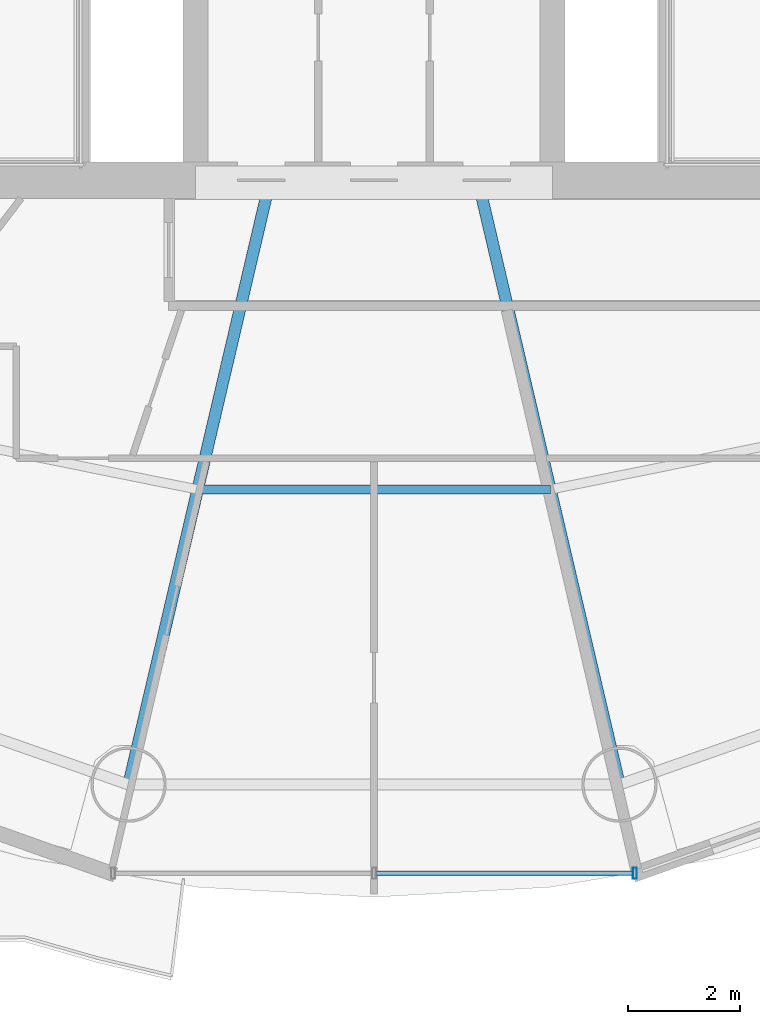
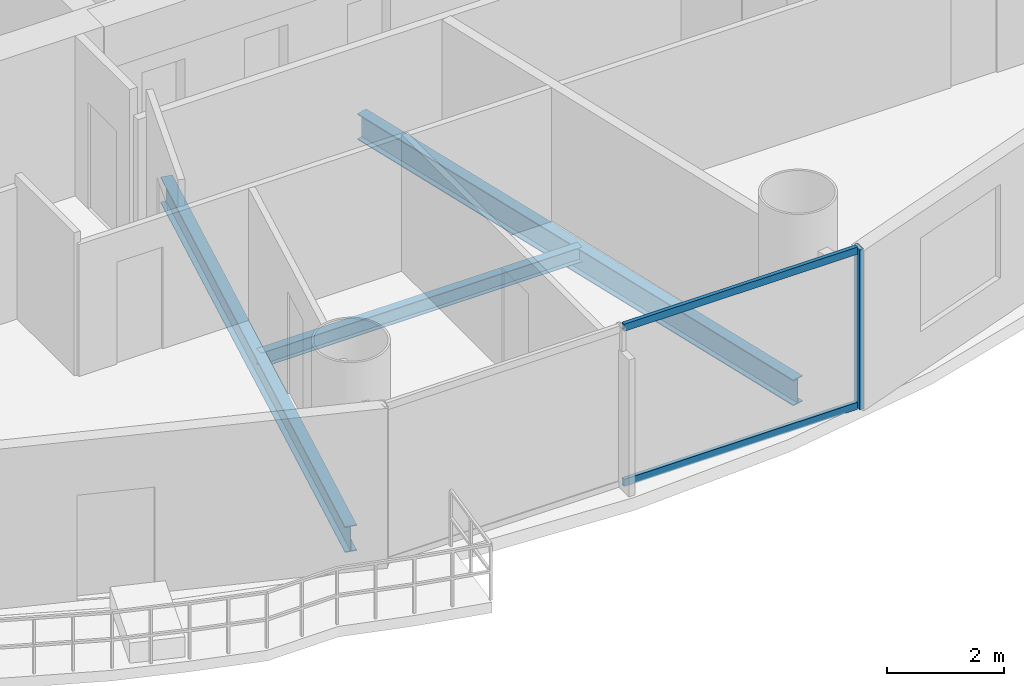
# One storey, part 5 of 26: 3 beams, 3 members, 1 element without a shape of its own.
"""IFC4 building model written with IfcOpenShell, lengths in metres."""

from ifc_helpers import new_model, si_unit, direction, frame, origin, origin_2d, place, context, subcontext, project, spatial, hollow_rectangle, i_section, extrude, source, transform, mapped, material, material_profile, profile_set, type_object, element, aggregate, save


model = new_model("IFC4")

# Units and contexts
model_context = context("Model", 3, precision=1e-05, world=origin(), true_north=direction((-0.2419218956, 0.970295726276)))
body_context = subcontext(model_context, "Body", "Model", "MODEL_VIEW")
ifc_project = project(units=[si_unit("LENGTHUNIT", "METRE"), si_unit("AREAUNIT", "SQUARE_METRE"), si_unit("VOLUMEUNIT", "CUBIC_METRE"), si_unit("PLANEANGLEUNIT", "RADIAN"), si_unit("MASSUNIT", "GRAM", prefix="KILO")], contexts=[model_context])

# Site, building, storey
site_placement = place(None, origin())
site = spatial("IfcSite", under=ifc_project, at=site_placement, CompositionType="ELEMENT")
building_placement = place(site_placement, origin())
building = spatial("IfcBuilding", under=site, at=building_placement, Name="Cobrevalo Terracotta Tower", CompositionType="ELEMENT")
storey_placement = place(building_placement, frame((0.0, 0.0, 135.39990234375)))
storey = spatial("IfcBuildingStorey", under=building, at=storey_placement, Name="L35", CompositionType="ELEMENT", Elevation=135.39990234375)

# Beams
ifc_material_1 = material(Name="Steel S355", Category="steel")
ifc_material_profile_1 = material_profile(ifc_material_1, i_section(OverallWidth=0.2109375, OverallDepth=0.5390625, WebThickness=0.01171875, FlangeThickness=0.018798828125, at=origin_2d()), Name="W 530x109")
ifc_profile_set_1 = profile_set([ifc_material_profile_1], Name="Steel S355")
beam_type_1 = type_object("IfcBeamType", Name="Structural Beam W 530x109 (Steel S355)", PredefinedType="BEAM", material=ifc_profile_set_1)
for number, where, z_axis, x_axis, name in (
    (1, (33.600830078125, 8.01806640625, -0.539306640625), (0.228045854186, 0.973650393308, 0.0), (-0.973650393308, 0.228045854186, 0.0), "L35 radial floor girder 12"),
    (2, (42.399169921875, 8.01806640625, -0.539306640625), (-0.228045854186, 0.973650393308, 0.0), (-0.973650393308, -0.228045854186, 0.0), "L35 radial floor girder 13"),
):
    element("IfcBeam", number, at=place(storey_placement, frame(where, z_axis=z_axis, x_axis=x_axis)), inside=storey, type_object=beam_type_1, Name=name, PredefinedType="BEAM", context=body_context, shape_type="SweptSolid", body=[
        extrude(i_section(OverallWidth=0.2109375, OverallDepth=0.5390625, WebThickness=0.01171875, FlangeThickness=0.018798828125, at=origin_2d()), origin(), (0.0, 0.0, 1.0), 10.863037109375),
    ])
ifc_material_profile_2 = material_profile(ifc_material_1, i_section(OverallWidth=0.1650390625, OverallDepth=0.31005859375, WebThickness=0.005859375, FlangeThickness=0.009765625, at=origin_2d()), Name="W 310x38.7")
ifc_profile_set_2 = profile_set([ifc_material_profile_2], Name="Steel S355")
beam_type_2 = type_object("IfcBeamType", Name="Structural Joist W 310x38.7 (Steel S355)", PredefinedType="JOIST", material=ifc_profile_set_2)
beam_placement = place(storey_placement, frame((34.83935546875, 13.306396484375, -0.4248046875), z_axis=(1.0, 0.0, 0.0), x_axis=(0.0, 1.0, 0.0)))
element("IfcBeam", 3, at=beam_placement, inside=storey, type_object=beam_type_2, Name="L35 circumferential secondary floor joist 12", PredefinedType="JOIST", context=body_context, shape_type="SweptSolid", body=[
    extrude(i_section(OverallWidth=0.1650390625, OverallDepth=0.31005859375, WebThickness=0.005859375, FlangeThickness=0.009765625, at=origin_2d()), origin(), (0.0, 0.0, 1.0), 6.3212890625),
])

# Curtain wall, members
ifc_material_2 = material(Name="Anodized aluminium", Category="aluminium")
curtain_wall_type = type_object("IfcCurtainWallType", Name="Mid-tower high-wind unitised curtain wall CW-U2", PredefinedType="NOTDEFINED", material=ifc_material_2)
curtain_wall_placement = place(storey_placement, origin())
curtain_wall = element("IfcCurtainWall", 4, at=curtain_wall_placement, inside=storey, type_object=curtain_wall_type, Name="L35 curtain wall CW-L35-S12", PredefinedType="NOTDEFINED")
ifc_material_profile_3 = material_profile(ifc_material_2, hollow_rectangle(XDim=0.074951171875, YDim=0.199951171875, WallThickness=0.0048828125, at=origin_2d()), Name="CWM 75x200")
ifc_profile_set_3 = profile_set([ifc_material_profile_3], Name="Anodized aluminium")
member_type_1 = type_object("IfcMemberType", Name="Lower/mid tower unitised mullion 75x200", PredefinedType="MULLION", material=ifc_profile_set_3)
shared_shape_1 = source(origin(), body_context, "Body", "SweptSolid", [
    extrude(hollow_rectangle(XDim=0.074951171875, YDim=0.199951171875, WallThickness=0.0048828125, at=origin_2d()), origin(), (0.0, 0.0, 1.0), 3.330078125),
])
member_1_placement = place(storey_placement, frame((42.67529296875, 6.42919921875, 0.0), z_axis=(0.0, 0.0, 1.0), x_axis=(1.0, 0.0, 0.0)))
member_1 = element("IfcMember", 5, at=member_1_placement, type_object=member_type_1, Name="CW-L35-S12 vertical mullion 03", PredefinedType="MULLION", context=body_context, shape_type="MappedRepresentation", body=[
    mapped(shared_shape_1, transform((0.0, 0.0, 0.0), scale=1.0)),
])
ifc_material_profile_4 = material_profile(ifc_material_2, hollow_rectangle(XDim=0.074951171875, YDim=0.14990234375, WallThickness=0.00439453125, at=origin_2d()), Name="CWT 75x150")
ifc_profile_set_4 = profile_set([ifc_material_profile_4], Name="Anodized aluminium")
member_type_2 = type_object("IfcMemberType", Name="Tower unitised aluminium transom 75x150", PredefinedType="USERDEFINED", material=ifc_profile_set_4)
shared_shape_2 = source(origin(), body_context, "Body", "SweptSolid", [
    extrude(hollow_rectangle(XDim=0.074951171875, YDim=0.14990234375, WallThickness=0.00439453125, at=origin_2d()), origin(), (0.0, 0.0, 1.0), 4.59521484375),
])
member_2_placement = place(storey_placement, frame((38.0400390625, 6.42919921875, 0.050048828125), z_axis=(1.0, 0.0, 0.0), x_axis=(0.0, 1.0, 0.0)))
member_2 = element("IfcMember", 6, at=member_2_placement, type_object=member_type_2, Name="CW-L35-S12 transom B02-T1", ObjectType="TRANSOM", PredefinedType="USERDEFINED", context=body_context, shape_type="MappedRepresentation", body=[
    mapped(shared_shape_2, transform((0.0, 0.0, 0.0), scale=1.0)),
])
member_3_placement = place(storey_placement, frame((38.0400390625, 6.42919921875, 3.280029296875), z_axis=(1.0, 0.0, 0.0), x_axis=(0.0, 1.0, 0.0)))
member_3 = element("IfcMember", 7, at=member_3_placement, type_object=member_type_2, Name="CW-L35-S12 transom B02-T2", ObjectType="TRANSOM", PredefinedType="USERDEFINED", context=body_context, shape_type="MappedRepresentation", body=[
    mapped(shared_shape_2, transform((0.0, 0.0, 0.0), scale=1.0)),
])
aggregate(curtain_wall, [member_1, member_2, member_3])

save(model, "model.ifc")
